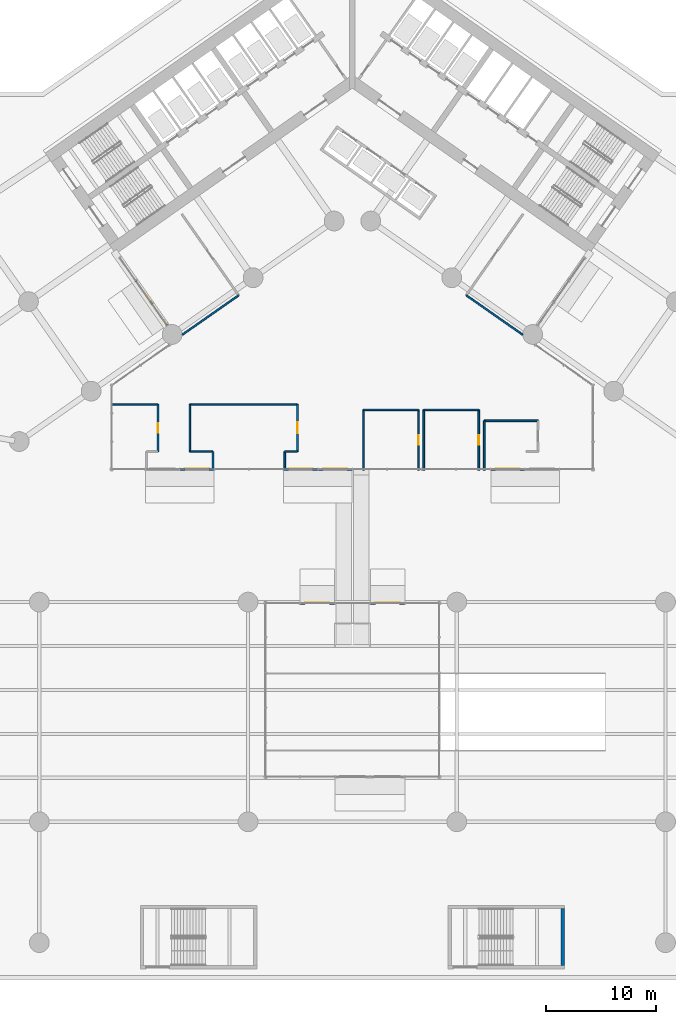
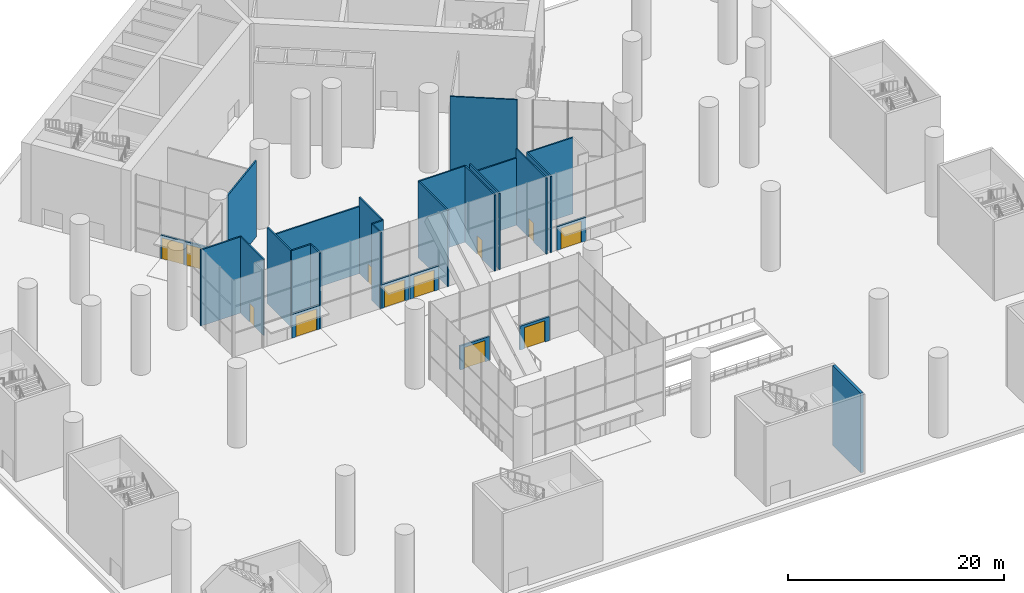
# One storey, part 17 of 37: 28 walls, 12 doors, 12 openings.
"""IFC4 building model written with IfcOpenShell, lengths in metres."""

from ifc_helpers import new_model, si_unit, direction, frame, frame_2d, origin, place, context, subcontext, project, spatial, rectangle, extrude, material, layer, layer_set, type_object, element, fill, save


model = new_model("IFC4")

# Units and contexts
model_context = context("Model", 3, precision=1e-05, world=origin(), true_north=direction((0.0, 1.0)))
body_context = subcontext(model_context, "Body", "Model", "MODEL_VIEW")
ifc_project = project(units=[si_unit("LENGTHUNIT", "METRE"), si_unit("AREAUNIT", "SQUARE_METRE"), si_unit("VOLUMEUNIT", "CUBIC_METRE"), si_unit("PLANEANGLEUNIT", "RADIAN"), si_unit("MASSUNIT", "GRAM", prefix="KILO")], contexts=[model_context])

# Site, building, storey
site_placement = place(None, origin())
site = spatial("IfcSite", under=ifc_project, at=site_placement, CompositionType="ELEMENT")
building_placement = place(site_placement, origin())
building = spatial("IfcBuilding", under=site, at=building_placement, Name="Tel Ilan Convention Tower", CompositionType="ELEMENT")
storey_placement = place(building_placement, origin())
storey = spatial("IfcBuildingStorey", under=building, at=storey_placement, Name="L00", CompositionType="ELEMENT", Elevation=0.0)

# Wall, opening, door
ifc_material_1 = material(Name="Aluminium composite cladding, bronze anodised on steel studs", Category="steel")
ifc_layer_1 = layer(ifc_material_1, 0.199951171875)
ifc_layer_set_1 = layer_set([ifc_layer_1], Name="ENTRANCE BAY WALL 200")
wall_type_1 = type_object("IfcWallType", Name="ENTRANCE BAY WALL 200", PredefinedType="SOLIDWALL", material=ifc_layer_set_1)
wall_1_placement = place(storey_placement, frame((15.684326171875, -35.89990234375, 0.0), z_axis=(0.0, 0.0, 1.0), x_axis=(-1.0, 0.0, 0.0)))
wall_1 = element("IfcWall", 1, at=wall_1_placement, inside=storey, type_object=wall_type_1, Name="Entrance bay wall", PredefinedType="SOLIDWALL", context=body_context, shape_type="SweptSolid", body=[
    extrude(rectangle(XDim=3.0830078125, YDim=0.199951171875, at=frame_2d((1.54150390625, 0.0))), origin(), (0.0, 0.0, 1.0), 2.699951171875),
])
opening_1_placement = place(wall_1_placement, frame((0.44140625, 0.0, 0.0)))
opening_1 = element("IfcOpeningElement", 2, at=opening_1_placement, cuts=wall_1, Name="Opening EN14", PredefinedType="OPENING", context=body_context, shape_type="SweptSolid", body=[
    extrude(rectangle(XDim=2.199951171875, YDim=2.39990234375, at=frame_2d((1.10009765625, 1.199951171875))), frame((0.0, 0.10986328125, 0.0), z_axis=(0.0, -1.0, 0.0), x_axis=(1.0, 0.0, 0.0)), (0.0, 0.0, 1.0), 0.219970703125),
])
ifc_material_2 = material(Name="Aluminium framed glazed door, bronze anodised", Category="aluminium")
door_type_1 = type_object("IfcDoorType", Name="ENTRANCE DOUBLE DOOR 2200x2400", OperationType="NOTDEFINED", PredefinedType="DOOR", material=ifc_material_2)
door_1_placement = place(opening_1_placement, origin())
door_1 = element("IfcDoor", 3, at=door_1_placement, inside=storey, type_object=door_type_1, Name="Entrance door", OperationType="DOUBLE_DOOR_DOUBLE_SWING", OverallHeight=2.39990234375, OverallWidth=2.199951171875, PredefinedType="DOOR", context=body_context, shape_type="SweptSolid", body=[
    extrude(rectangle(XDim=2.199951171875, YDim=2.39990234375, at=frame_2d((1.10009765625, 1.199951171875))), frame((0.0, 0.02490234375, 0.0), z_axis=(0.0, -1.0, 0.0), x_axis=(1.0, 0.0, 0.0)), (0.0, 0.0, 1.0), 0.050048828125),
])
fill(opening_1, door_1)

wall_2_placement = place(storey_placement, frame((-0.030029296875, -35.89990234375, 0.0), z_axis=(0.0, 0.0, 1.0), x_axis=(-1.0, 0.0, 0.0)))
wall_2 = element("IfcWall", 4, at=wall_2_placement, inside=storey, type_object=wall_type_1, Name="Entrance bay wall", PredefinedType="SOLIDWALL", context=body_context, shape_type="SweptSolid", body=[
    extrude(rectangle(XDim=3.082763671875, YDim=0.199951171875, at=frame_2d((1.54150390625, 0.0))), origin(), (0.0, 0.0, 1.0), 2.699951171875),
])
opening_2_placement = place(wall_2_placement, frame((0.44140625, 0.0, 0.0)))
opening_2 = element("IfcOpeningElement", 5, at=opening_2_placement, cuts=wall_2, Name="Opening EN15", PredefinedType="OPENING", context=body_context, shape_type="SweptSolid", body=[
    extrude(rectangle(XDim=2.199951171875, YDim=2.39990234375, at=frame_2d((1.10009765625, 1.199951171875))), frame((0.0, 0.10986328125, 0.0), z_axis=(0.0, -1.0, 0.0), x_axis=(1.0, 0.0, 0.0)), (0.0, 0.0, 1.0), 0.219970703125),
])
door_2_placement = place(opening_2_placement, origin())
door_2 = element("IfcDoor", 6, at=door_2_placement, inside=storey, type_object=door_type_1, Name="Entrance door", OperationType="DOUBLE_DOOR_DOUBLE_SWING", OverallHeight=2.39990234375, OverallWidth=2.199951171875, PredefinedType="DOOR", context=body_context, shape_type="SweptSolid", body=[
    extrude(rectangle(XDim=2.199951171875, YDim=2.39990234375, at=frame_2d((1.10009765625, 1.199951171875))), frame((0.0, 0.02490234375, 0.0), z_axis=(0.0, -1.0, 0.0), x_axis=(1.0, 0.0, 0.0)), (0.0, 0.0, 1.0), 0.050048828125),
])
fill(opening_2, door_2)

wall_3_placement = place(storey_placement, frame((-3.1728515625, -35.89990234375, 0.0), z_axis=(0.0, 0.0, 1.0), x_axis=(-1.0, 0.0, 0.0)))
wall_3 = element("IfcWall", 7, at=wall_3_placement, inside=storey, type_object=wall_type_1, Name="Entrance bay wall", PredefinedType="SOLIDWALL", context=body_context, shape_type="SweptSolid", body=[
    extrude(rectangle(XDim=3.082763671875, YDim=0.199951171875, at=frame_2d((1.54150390625, 0.0))), origin(), (0.0, 0.0, 1.0), 2.699951171875),
])
opening_3_placement = place(wall_3_placement, frame((0.44140625, 0.0, 0.0)))
opening_3 = element("IfcOpeningElement", 8, at=opening_3_placement, cuts=wall_3, Name="Opening EN16", PredefinedType="OPENING", context=body_context, shape_type="SweptSolid", body=[
    extrude(rectangle(XDim=2.199951171875, YDim=2.39990234375, at=frame_2d((1.10009765625, 1.199951171875))), frame((0.0, 0.10986328125, 0.0), z_axis=(0.0, -1.0, 0.0), x_axis=(1.0, 0.0, 0.0)), (0.0, 0.0, 1.0), 0.219970703125),
])
door_3_placement = place(opening_3_placement, origin())
door_3 = element("IfcDoor", 9, at=door_3_placement, inside=storey, type_object=door_type_1, Name="Entrance door", OperationType="DOUBLE_DOOR_DOUBLE_SWING", OverallHeight=2.39990234375, OverallWidth=2.199951171875, PredefinedType="DOOR", context=body_context, shape_type="SweptSolid", body=[
    extrude(rectangle(XDim=2.199951171875, YDim=2.39990234375, at=frame_2d((1.10009765625, 1.199951171875))), frame((0.0, 0.02490234375, 0.0), z_axis=(0.0, -1.0, 0.0), x_axis=(1.0, 0.0, 0.0)), (0.0, 0.0, 1.0), 0.050048828125),
])
fill(opening_3, door_3)

wall_4_placement = place(storey_placement, frame((-12.601318359375, -35.89990234375, 0.0), z_axis=(0.0, 0.0, 1.0), x_axis=(-1.0, 0.0, 0.0)))
wall_4 = element("IfcWall", 10, at=wall_4_placement, inside=storey, type_object=wall_type_1, Name="Entrance bay wall", PredefinedType="SOLIDWALL", context=body_context, shape_type="SweptSolid", body=[
    extrude(rectangle(XDim=3.0830078125, YDim=0.199951171875, at=frame_2d((1.54150390625, 0.0))), origin(), (0.0, 0.0, 1.0), 2.699951171875),
])
opening_4_placement = place(wall_4_placement, frame((0.44140625, 0.0, 0.0)))
opening_4 = element("IfcOpeningElement", 11, at=opening_4_placement, cuts=wall_4, Name="Opening EN17", PredefinedType="OPENING", context=body_context, shape_type="SweptSolid", body=[
    extrude(rectangle(XDim=2.199951171875, YDim=2.39990234375, at=frame_2d((1.10009765625, 1.199951171875))), frame((0.0, 0.10986328125, 0.0), z_axis=(0.0, -1.0, 0.0), x_axis=(1.0, 0.0, 0.0)), (0.0, 0.0, 1.0), 0.219970703125),
])
door_4_placement = place(opening_4_placement, origin())
door_4 = element("IfcDoor", 12, at=door_4_placement, inside=storey, type_object=door_type_1, Name="Entrance door", OperationType="DOUBLE_DOOR_DOUBLE_SWING", OverallHeight=2.39990234375, OverallWidth=2.199951171875, PredefinedType="DOOR", context=body_context, shape_type="SweptSolid", body=[
    extrude(rectangle(XDim=2.199951171875, YDim=2.39990234375, at=frame_2d((1.10009765625, 1.199951171875))), frame((0.0, 0.02490234375, 0.0), z_axis=(0.0, -1.0, 0.0), x_axis=(1.0, 0.0, 0.0)), (0.0, 0.0, 1.0), 0.050048828125),
])
fill(opening_4, door_4)

wall_5_placement = place(storey_placement, frame((-16.87255859375, -22.80224609375, 0.0), z_axis=(0.0, 0.0, 1.0), x_axis=(-0.573616137927, 0.819124243512, 0.0)))
wall_5 = element("IfcWall", 13, at=wall_5_placement, inside=storey, type_object=wall_type_1, Name="Entrance bay wall", PredefinedType="SOLIDWALL", context=body_context, shape_type="SweptSolid", body=[
    extrude(rectangle(XDim=2.4501953125, YDim=0.199951171875, at=frame_2d((1.22509765625, 0.0))), origin(), (0.0, 0.0, 1.0), 2.699951171875),
])
opening_5_placement = place(wall_5_placement, frame((0.125244140625, 0.0, 0.0)))
opening_5 = element("IfcOpeningElement", 14, at=opening_5_placement, cuts=wall_5, Name="Opening EN19", PredefinedType="OPENING", context=body_context, shape_type="SweptSolid", body=[
    extrude(rectangle(XDim=2.199951171875, YDim=2.39990234375, at=frame_2d((1.10009765625, 1.199951171875))), frame((0.0, 0.10986328125, 0.0), z_axis=(0.0, -1.0, 0.0), x_axis=(1.0, 0.0, 0.0)), (0.0, 0.0, 1.0), 0.219970703125),
])
door_5_placement = place(opening_5_placement, origin())
door_5 = element("IfcDoor", 15, at=door_5_placement, inside=storey, type_object=door_type_1, Name="Entrance door", OperationType="DOUBLE_DOOR_DOUBLE_SWING", OverallHeight=2.39990234375, OverallWidth=2.199951171875, PredefinedType="DOOR", context=body_context, shape_type="SweptSolid", body=[
    extrude(rectangle(XDim=2.199951171875, YDim=2.39990234375, at=frame_2d((1.10009765625, 1.199951171875))), frame((0.0, 0.02490234375, 0.0), z_axis=(0.0, -1.0, 0.0), x_axis=(1.0, 0.0, 0.0)), (0.0, 0.0, 1.0), 0.050048828125),
])
fill(opening_5, door_5)

wall_6_placement = place(storey_placement, frame((-18.3125, -20.745849609375, 0.0), z_axis=(0.0, 0.0, 1.0), x_axis=(-0.573549278612, 0.819171059672, 0.0)))
wall_6 = element("IfcWall", 16, at=wall_6_placement, inside=storey, type_object=wall_type_1, Name="Entrance bay wall", PredefinedType="SOLIDWALL", context=body_context, shape_type="SweptSolid", body=[
    extrude(rectangle(XDim=2.4501953125, YDim=0.199951171875, at=frame_2d((1.22509765625, 0.0))), origin(), (0.0, 0.0, 1.0), 2.699951171875),
])
opening_6_placement = place(wall_6_placement, frame((0.125244140625, 0.0, 0.0)))
opening_6 = element("IfcOpeningElement", 17, at=opening_6_placement, cuts=wall_6, Name="Opening EN20", PredefinedType="OPENING", context=body_context, shape_type="SweptSolid", body=[
    extrude(rectangle(XDim=2.199951171875, YDim=2.39990234375, at=frame_2d((1.10009765625, 1.199951171875))), frame((0.0, 0.10986328125, 0.0), z_axis=(0.0, -1.0, 0.0), x_axis=(1.0, 0.0, 0.0)), (0.0, 0.0, 1.0), 0.219970703125),
])
door_6_placement = place(opening_6_placement, origin())
door_6 = element("IfcDoor", 18, at=door_6_placement, inside=storey, type_object=door_type_1, Name="Entrance door", OperationType="DOUBLE_DOOR_DOUBLE_SWING", OverallHeight=2.39990234375, OverallWidth=2.199951171875, PredefinedType="DOOR", context=body_context, shape_type="SweptSolid", body=[
    extrude(rectangle(XDim=2.199951171875, YDim=2.39990234375, at=frame_2d((1.10009765625, 1.199951171875))), frame((0.0, 0.02490234375, 0.0), z_axis=(0.0, -1.0, 0.0), x_axis=(1.0, 0.0, 0.0)), (0.0, 0.0, 1.0), 0.050048828125),
])
fill(opening_6, door_6)

wall_7_placement = place(storey_placement, frame((4.77001953125, -48.10009765625, 0.0), z_axis=(0.0, 0.0, 1.0), x_axis=(-1.0, 0.0, 0.0)))
wall_7 = element("IfcWall", 19, at=wall_7_placement, inside=storey, type_object=wall_type_1, Name="Entrance bay wall", PredefinedType="SOLIDWALL", context=body_context, shape_type="SweptSolid", body=[
    extrude(rectangle(XDim=3.14013671875, YDim=0.199951171875, at=frame_2d((1.570068359375, 0.0))), origin(), (0.0, 0.0, 1.0), 2.699951171875),
])
opening_7_placement = place(wall_7_placement, frame((0.469970703125, 0.0, 0.0)))
opening_7 = element("IfcOpeningElement", 20, at=opening_7_placement, cuts=wall_7, Name="Opening EN23", PredefinedType="OPENING", context=body_context, shape_type="SweptSolid", body=[
    extrude(rectangle(XDim=2.199951171875, YDim=2.39990234375, at=frame_2d((1.10009765625, 1.199951171875))), frame((0.0, 0.10986328125, 0.0), z_axis=(0.0, -1.0, 0.0), x_axis=(1.0, 0.0, 0.0)), (0.0, 0.0, 1.0), 0.219970703125),
])
door_7_placement = place(opening_7_placement, origin())
door_7 = element("IfcDoor", 21, at=door_7_placement, inside=storey, type_object=door_type_1, Name="Entrance door", OperationType="DOUBLE_DOOR_DOUBLE_SWING", OverallHeight=2.39990234375, OverallWidth=2.199951171875, PredefinedType="DOOR", context=body_context, shape_type="SweptSolid", body=[
    extrude(rectangle(XDim=2.199951171875, YDim=2.39990234375, at=frame_2d((1.10009765625, 1.199951171875))), frame((0.0, 0.02490234375, 0.0), z_axis=(0.0, -1.0, 0.0), x_axis=(1.0, 0.0, 0.0)), (0.0, 0.0, 1.0), 0.050048828125),
])
fill(opening_7, door_7)

wall_8_placement = place(storey_placement, frame((-1.6298828125, -48.10009765625, 0.0), z_axis=(0.0, 0.0, 1.0), x_axis=(-1.0, 0.0, 0.0)))
wall_8 = element("IfcWall", 22, at=wall_8_placement, inside=storey, type_object=wall_type_1, Name="Entrance bay wall", PredefinedType="SOLIDWALL", context=body_context, shape_type="SweptSolid", body=[
    extrude(rectangle(XDim=3.14013671875, YDim=0.199951171875, at=frame_2d((1.570068359375, 0.0))), origin(), (0.0, 0.0, 1.0), 2.699951171875),
])
opening_8_placement = place(wall_8_placement, frame((0.469970703125, 0.0, 0.0)))
opening_8 = element("IfcOpeningElement", 23, at=opening_8_placement, cuts=wall_8, Name="Opening EN24", PredefinedType="OPENING", context=body_context, shape_type="SweptSolid", body=[
    extrude(rectangle(XDim=2.199951171875, YDim=2.39990234375, at=frame_2d((1.10009765625, 1.199951171875))), frame((0.0, 0.10986328125, 0.0), z_axis=(0.0, -1.0, 0.0), x_axis=(1.0, 0.0, 0.0)), (0.0, 0.0, 1.0), 0.219970703125),
])
door_8_placement = place(opening_8_placement, origin())
door_8 = element("IfcDoor", 24, at=door_8_placement, inside=storey, type_object=door_type_1, Name="Entrance door", OperationType="DOUBLE_DOOR_DOUBLE_SWING", OverallHeight=2.39990234375, OverallWidth=2.199951171875, PredefinedType="DOOR", context=body_context, shape_type="SweptSolid", body=[
    extrude(rectangle(XDim=2.199951171875, YDim=2.39990234375, at=frame_2d((1.10009765625, 1.199951171875))), frame((0.0, 0.02490234375, 0.0), z_axis=(0.0, -1.0, 0.0), x_axis=(1.0, 0.0, 0.0)), (0.0, 0.0, 1.0), 0.050048828125),
])
fill(opening_8, door_8)

# Walls
ifc_material_3 = material(Name="Plasterboard on Steel Studs", Category="steel")
ifc_layer_2 = layer(ifc_material_3, 0.14990234375)
ifc_layer_set_2 = layer_set([ifc_layer_2], Name="Fire-rated Partition 150 EI 60")
wall_type_2 = type_object("IfcWallType", Name="Fire-rated Partition 150 EI 60", PredefinedType="PARTITIONING", material=ifc_layer_set_2)
wall_9_placement = place(storey_placement, frame((-6.163330078125, -36.0, 0.0), z_axis=(0.0, 0.0, 1.0), x_axis=(0.0, 1.0, 0.0)))
element("IfcWall", 25, at=wall_9_placement, inside=storey, type_object=wall_type_2, Name="Partition 001", PredefinedType="PARTITIONING", context=body_context, shape_type="SweptSolid", body=[
    extrude(rectangle(XDim=1.698974609375, YDim=0.14990234375, at=frame_2d((0.849609375, 0.0))), origin(), (0.0, 0.0, 1.0), 8.60009765625),
])
wall_10_placement = place(storey_placement, frame((-6.163330078125, -34.301025390625, 0.0), z_axis=(0.0, 0.0, 1.0), x_axis=(1.0, 0.0, 0.0)))
element("IfcWall", 26, at=wall_10_placement, inside=storey, type_object=wall_type_2, Name="Partition 002", PredefinedType="PARTITIONING", context=body_context, shape_type="SweptSolid", body=[
    extrude(rectangle(XDim=1.163330078125, YDim=0.14990234375, at=frame_2d((0.58154296875, 0.0))), origin(), (0.0, 0.0, 1.0), 8.60009765625),
])

# Wall, opening, door
wall_11_placement = place(storey_placement, frame((-4.9990234375, -34.300048828125, 0.0), z_axis=(0.0, 0.0, 1.0), x_axis=(0.0, 1.0, 0.0)))
wall_11 = element("IfcWall", 27, at=wall_11_placement, inside=storey, type_object=wall_type_2, Name="Partition 003", PredefinedType="PARTITIONING", context=body_context, shape_type="SweptSolid", body=[
    extrude(rectangle(XDim=4.300048828125, YDim=0.14990234375, at=frame_2d((2.14990234375, 0.0))), origin(), (0.0, 0.0, 1.0), 8.60009765625),
])
opening_9_placement = place(wall_11_placement, frame((1.64990234375, 0.0, 0.0)))
opening_9 = element("IfcOpeningElement", 28, at=opening_9_placement, cuts=wall_11, Name="Opening L00-001", PredefinedType="OPENING", context=body_context, shape_type="SweptSolid", body=[
    extrude(rectangle(XDim=1.0, YDim=2.10009765625, at=frame_2d((0.5, 1.050048828125))), frame((0.0, 0.0849609375, 0.0), z_axis=(0.0, -1.0, 0.0), x_axis=(1.0, 0.0, 0.0)), (0.0, 0.0, 1.0), 0.169921875),
])
ifc_material_4 = material(Name="Timber Door Leaf in Steel Frame", Category="steel")
door_type_2 = type_object("IfcDoorType", Name="Plant Room Fire Door 1000x2100", OperationType="NOTDEFINED", PredefinedType="DOOR", material=ifc_material_4)
door_9_placement = place(opening_9_placement, origin())
door_9 = element("IfcDoor", 29, at=door_9_placement, inside=storey, type_object=door_type_2, Name="Door L00-001", OperationType="SINGLE_SWING_RIGHT", OverallHeight=2.10009765625, OverallWidth=1.0, PredefinedType="DOOR", context=body_context, shape_type="SweptSolid", body=[
    extrude(rectangle(XDim=1.0, YDim=2.10009765625, at=frame_2d((0.5, 1.050048828125))), frame((0.0, 0.02490234375, 0.0), z_axis=(0.0, -1.0, 0.0), x_axis=(1.0, 0.0, 0.0)), (0.0, 0.0, 1.0), 0.050048828125),
])
fill(opening_9, door_9)

# Walls
wall_12_placement = place(storey_placement, frame((-5.0, -29.9990234375, 0.0), z_axis=(0.0, 0.0, 1.0), x_axis=(-1.0, 0.0, 0.0)))
element("IfcWall", 30, at=wall_12_placement, inside=storey, type_object=wall_type_2, Name="Partition 004", PredefinedType="PARTITIONING", context=body_context, shape_type="SweptSolid", body=[
    extrude(rectangle(XDim=9.800048828125, YDim=0.14990234375, at=frame_2d((4.89990234375, 0.0))), origin(), (0.0, 0.0, 1.0), 7.580078125),
])
wall_13_placement = place(storey_placement, frame((-14.801025390625, -30.0, 0.0), z_axis=(0.0, 0.0, 1.0), x_axis=(0.0, -1.0, 0.0)))
element("IfcWall", 31, at=wall_13_placement, inside=storey, type_object=wall_type_2, Name="Partition 005", PredefinedType="PARTITIONING", context=body_context, shape_type="SweptSolid", body=[
    extrude(rectangle(XDim=4.300048828125, YDim=0.14990234375, at=frame_2d((2.14990234375, 0.0))), origin(), (0.0, 0.0, 1.0), 8.60009765625),
])
wall_14_placement = place(storey_placement, frame((-14.800048828125, -34.301025390625, 0.0), z_axis=(0.0, 0.0, 1.0), x_axis=(1.0, 0.0, 0.0)))
element("IfcWall", 32, at=wall_14_placement, inside=storey, type_object=wall_type_2, Name="Partition 006", PredefinedType="PARTITIONING", context=body_context, shape_type="SweptSolid", body=[
    extrude(rectangle(XDim=2.106201171875, YDim=0.14990234375, at=frame_2d((1.05322265625, 0.0))), origin(), (0.0, 0.0, 1.0), 8.60009765625),
])
wall_15_placement = place(storey_placement, frame((-12.69384765625, -34.301025390625, 0.0), z_axis=(0.0, 0.0, 1.0), x_axis=(0.0, -1.0, 0.0)))
element("IfcWall", 33, at=wall_15_placement, inside=storey, type_object=wall_type_2, Name="Partition 007", PredefinedType="PARTITIONING", context=body_context, shape_type="SweptSolid", body=[
    extrude(rectangle(XDim=1.698974609375, YDim=0.14990234375, at=frame_2d((0.849609375, 0.0))), origin(), (0.0, 0.0, 1.0), 8.60009765625),
])

# Wall, opening, door
wall_16_placement = place(storey_placement, frame((-17.698974609375, -34.300048828125, 0.0), z_axis=(0.0, 0.0, 1.0), x_axis=(0.0, 1.0, 0.0)))
wall_16 = element("IfcWall", 34, at=wall_16_placement, inside=storey, type_object=wall_type_2, Name="Partition 010", PredefinedType="PARTITIONING", context=body_context, shape_type="SweptSolid", body=[
    extrude(rectangle(XDim=4.300048828125, YDim=0.14990234375, at=frame_2d((2.14990234375, 0.0))), origin(), (0.0, 0.0, 1.0), 8.60009765625),
])
opening_10_placement = place(wall_16_placement, frame((1.699951171875, 0.0, 0.0)))
opening_10 = element("IfcOpeningElement", 35, at=opening_10_placement, cuts=wall_16, Name="Opening L00-002", PredefinedType="OPENING", context=body_context, shape_type="SweptSolid", body=[
    extrude(rectangle(XDim=0.89990234375, YDim=2.10009765625, at=frame_2d((0.449951171875, 1.050048828125))), frame((0.0, 0.0849609375, 0.0), z_axis=(0.0, -1.0, 0.0), x_axis=(1.0, 0.0, 0.0)), (0.0, 0.0, 1.0), 0.169921875),
])
ifc_material_5 = material(Name="Timber Door Leaf in Steel Frame", Category="steel")
door_type_3 = type_object("IfcDoorType", Name="Room Fire Door 900x2100", OperationType="NOTDEFINED", PredefinedType="DOOR", material=ifc_material_5)
door_10_placement = place(opening_10_placement, origin())
door_10 = element("IfcDoor", 36, at=door_10_placement, inside=storey, type_object=door_type_3, Name="Door L00-002", OperationType="SINGLE_SWING_LEFT", OverallHeight=2.10009765625, OverallWidth=0.89990234375, PredefinedType="DOOR", context=body_context, shape_type="SweptSolid", body=[
    extrude(rectangle(XDim=0.89990234375, YDim=2.10009765625, at=frame_2d((0.449951171875, 1.050048828125))), frame((0.0, 0.02490234375, 0.0), z_axis=(0.0, -1.0, 0.0), x_axis=(1.0, 0.0, 0.0)), (0.0, 0.0, 1.0), 0.050048828125),
])
fill(opening_10, door_10)

# Wall
wall_17_placement = place(storey_placement, frame((-17.699951171875, -29.9990234375, 0.0), z_axis=(0.0, 0.0, 1.0), x_axis=(-1.0, 0.0, 0.0)))
element("IfcWall", 37, at=wall_17_placement, inside=storey, type_object=wall_type_2, Name="Partition 011", PredefinedType="PARTITIONING", context=body_context, shape_type="SweptSolid", body=[
    extrude(rectangle(XDim=4.300048828125, YDim=0.14990234375, at=frame_2d((2.14990234375, 0.0))), origin(), (0.0, 0.0, 1.0), 8.60009765625),
])

# Wall, opening, door
wall_18_placement = place(storey_placement, frame((11.5009765625, -36.0, 0.0), z_axis=(0.0, 0.0, 1.0), x_axis=(0.0, 1.0, 0.0)))
wall_18 = element("IfcWall", 38, at=wall_18_placement, inside=storey, type_object=wall_type_2, Name="Partition 012", PredefinedType="PARTITIONING", context=body_context, shape_type="SweptSolid", body=[
    extrude(rectangle(XDim=5.5, YDim=0.14990234375, at=frame_2d((2.75, 0.0))), origin(), (0.0, 0.0, 1.0), 8.60009765625),
])
opening_11_placement = place(wall_18_placement, frame((2.300048828125, 0.0, 0.0)))
opening_11 = element("IfcOpeningElement", 39, at=opening_11_placement, cuts=wall_18, Name="Opening L00-003", PredefinedType="OPENING", context=body_context, shape_type="SweptSolid", body=[
    extrude(rectangle(XDim=0.89990234375, YDim=2.10009765625, at=frame_2d((0.449951171875, 1.050048828125))), frame((0.0, 0.0849609375, 0.0), z_axis=(0.0, -1.0, 0.0), x_axis=(1.0, 0.0, 0.0)), (0.0, 0.0, 1.0), 0.169921875),
])
door_11_placement = place(opening_11_placement, origin())
door_11 = element("IfcDoor", 40, at=door_11_placement, inside=storey, type_object=door_type_3, Name="Door L00-003", OperationType="SINGLE_SWING_LEFT", OverallHeight=2.10009765625, OverallWidth=0.89990234375, PredefinedType="DOOR", context=body_context, shape_type="SweptSolid", body=[
    extrude(rectangle(XDim=0.89990234375, YDim=2.10009765625, at=frame_2d((0.449951171875, 1.050048828125))), frame((0.0, 0.02490234375, 0.0), z_axis=(0.0, -1.0, 0.0), x_axis=(1.0, 0.0, 0.0)), (0.0, 0.0, 1.0), 0.050048828125),
])
fill(opening_11, door_11)

# Walls
wall_19_placement = place(storey_placement, frame((11.5, -30.4990234375, 0.0), z_axis=(0.0, 0.0, 1.0), x_axis=(-1.0, 0.0, 0.0)))
element("IfcWall", 41, at=wall_19_placement, inside=storey, type_object=wall_type_2, Name="Partition 013", PredefinedType="PARTITIONING", context=body_context, shape_type="SweptSolid", body=[
    extrude(rectangle(XDim=5.0, YDim=0.14990234375, at=frame_2d((2.5, 0.0))), origin(), (0.0, 0.0, 1.0), 7.580078125),
])
wall_20_placement = place(storey_placement, frame((6.4990234375, -30.5, 0.0), z_axis=(0.0, 0.0, 1.0), x_axis=(0.0, -1.0, 0.0)))
element("IfcWall", 42, at=wall_20_placement, inside=storey, type_object=wall_type_2, Name="Partition 014", PredefinedType="PARTITIONING", context=body_context, shape_type="SweptSolid", body=[
    extrude(rectangle(XDim=5.5, YDim=0.14990234375, at=frame_2d((2.75, 0.0))), origin(), (0.0, 0.0, 1.0), 8.60009765625),
])

# Wall, opening, door
wall_21_placement = place(storey_placement, frame((6.0009765625, -36.0, 0.0), z_axis=(0.0, 0.0, 1.0), x_axis=(0.0, 1.0, 0.0)))
wall_21 = element("IfcWall", 43, at=wall_21_placement, inside=storey, type_object=wall_type_2, Name="Partition 015", PredefinedType="PARTITIONING", context=body_context, shape_type="SweptSolid", body=[
    extrude(rectangle(XDim=5.5, YDim=0.14990234375, at=frame_2d((2.75, 0.0))), origin(), (0.0, 0.0, 1.0), 8.60009765625),
])
opening_12_placement = place(wall_21_placement, frame((2.300048828125, 0.0, 0.0)))
opening_12 = element("IfcOpeningElement", 44, at=opening_12_placement, cuts=wall_21, Name="Opening L00-004", PredefinedType="OPENING", context=body_context, shape_type="SweptSolid", body=[
    extrude(rectangle(XDim=0.89990234375, YDim=2.10009765625, at=frame_2d((0.449951171875, 1.050048828125))), frame((0.0, 0.0849609375, 0.0), z_axis=(0.0, -1.0, 0.0), x_axis=(1.0, 0.0, 0.0)), (0.0, 0.0, 1.0), 0.169921875),
])
door_12_placement = place(opening_12_placement, origin())
door_12 = element("IfcDoor", 45, at=door_12_placement, inside=storey, type_object=door_type_3, Name="Door L00-004", OperationType="SINGLE_SWING_RIGHT", OverallHeight=2.10009765625, OverallWidth=0.89990234375, PredefinedType="DOOR", context=body_context, shape_type="SweptSolid", body=[
    extrude(rectangle(XDim=0.89990234375, YDim=2.10009765625, at=frame_2d((0.449951171875, 1.050048828125))), frame((0.0, 0.02490234375, 0.0), z_axis=(0.0, -1.0, 0.0), x_axis=(1.0, 0.0, 0.0)), (0.0, 0.0, 1.0), 0.050048828125),
])
fill(opening_12, door_12)

# Walls
wall_22_placement = place(storey_placement, frame((6.0, -30.4990234375, 0.0), z_axis=(0.0, 0.0, 1.0), x_axis=(-1.0, 0.0, 0.0)))
element("IfcWall", 46, at=wall_22_placement, inside=storey, type_object=wall_type_2, Name="Partition 016", PredefinedType="PARTITIONING", context=body_context, shape_type="SweptSolid", body=[
    extrude(rectangle(XDim=5.0, YDim=0.14990234375, at=frame_2d((2.5, 0.0))), origin(), (0.0, 0.0, 1.0), 8.60009765625),
])
wall_23_placement = place(storey_placement, frame((0.9990234375, -30.5, 0.0), z_axis=(0.0, 0.0, 1.0), x_axis=(0.0, -1.0, 0.0)))
element("IfcWall", 47, at=wall_23_placement, inside=storey, type_object=wall_type_2, Name="Partition 017", PredefinedType="PARTITIONING", context=body_context, shape_type="SweptSolid", body=[
    extrude(rectangle(XDim=5.5, YDim=0.14990234375, at=frame_2d((2.75, 0.0))), origin(), (0.0, 0.0, 1.0), 8.60009765625),
])
wall_24_placement = place(storey_placement, frame((16.89990234375, -31.4990234375, 0.0), z_axis=(0.0, 0.0, 1.0), x_axis=(-1.0, 0.0, 0.0)))
element("IfcWall", 48, at=wall_24_placement, inside=storey, type_object=wall_type_2, Name="Partition 020", PredefinedType="PARTITIONING", context=body_context, shape_type="SweptSolid", body=[
    extrude(rectangle(XDim=4.89990234375, YDim=0.14990234375, at=frame_2d((2.449951171875, 0.0))), origin(), (0.0, 0.0, 1.0), 8.60009765625),
])
wall_25_placement = place(storey_placement, frame((11.9990234375, -31.5, 0.0), z_axis=(0.0, 0.0, 1.0), x_axis=(0.0, -1.0, 0.0)))
element("IfcWall", 49, at=wall_25_placement, inside=storey, type_object=wall_type_2, Name="Partition 021", PredefinedType="PARTITIONING", context=body_context, shape_type="SweptSolid", body=[
    extrude(rectangle(XDim=4.5, YDim=0.14990234375, at=frame_2d((2.25, 0.0))), origin(), (0.0, 0.0, 1.0), 8.60009765625),
])
for number, where, z_axis, x_axis, name in (
    (50, (10.35888671875, -20.071533203125, 0.0), (0.0, 0.0, 1.0), (0.819155033433, -0.573572167388, 0.0), "Partition 022"),
    (51, (-15.49169921875, -23.66552734375, 0.0), (0.0, 0.0, 1.0), (0.819155033433, 0.573572167388, 0.0), "Partition 023"),
):
    element("IfcWall", number, at=place(storey_placement, frame(where, z_axis=z_axis, x_axis=x_axis)), inside=storey, type_object=wall_type_2, Name=name, PredefinedType="PARTITIONING", context=body_context, shape_type="SweptSolid", body=[
        extrude(rectangle(XDim=6.265869140625, YDim=0.14990234375, at=frame_2d((3.1328125, 0.0))), origin(), (0.0, 0.0, 1.0), 8.60009765625),
    ])
ifc_material_6 = material(Name="Concrete C40/50", Category="concrete")
ifc_layer_3 = layer(ifc_material_6, 0.300048828125)
ifc_layer_set_3 = layer_set([ifc_layer_3], Name="Stair Enclosure Wall 300 mm C40/50")
wall_type_3 = type_object("IfcWallType", Name="Stair Enclosure Wall 300 mm C40/50", PredefinedType="SOLIDWALL", material=ifc_layer_set_3)
wall_26_placement = place(storey_placement, frame((19.14990234375, -81.10009765625, 0.0), z_axis=(0.0, 0.0, 1.0), x_axis=(0.0, 1.0, 0.0)))
element("IfcWall", 52, at=wall_26_placement, inside=storey, type_object=wall_type_3, Name="P3 stair enclosure wall E L00", PredefinedType="SOLIDWALL", context=body_context, shape_type="SweptSolid", body=[
    extrude(rectangle(XDim=5.2001953125, YDim=0.300048828125, at=frame_2d((2.60009765625, 0.0))), origin(), (0.0, 0.0, 1.0), 9.0),
])

save(model, "model.ifc")
